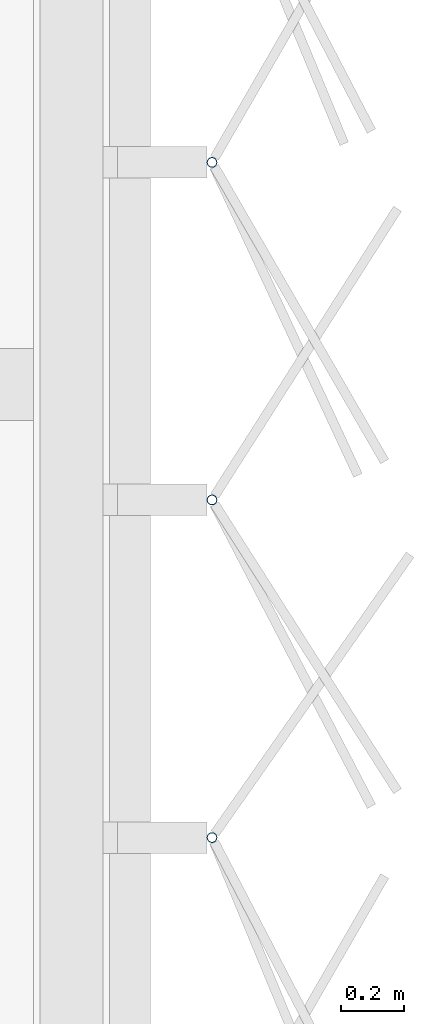
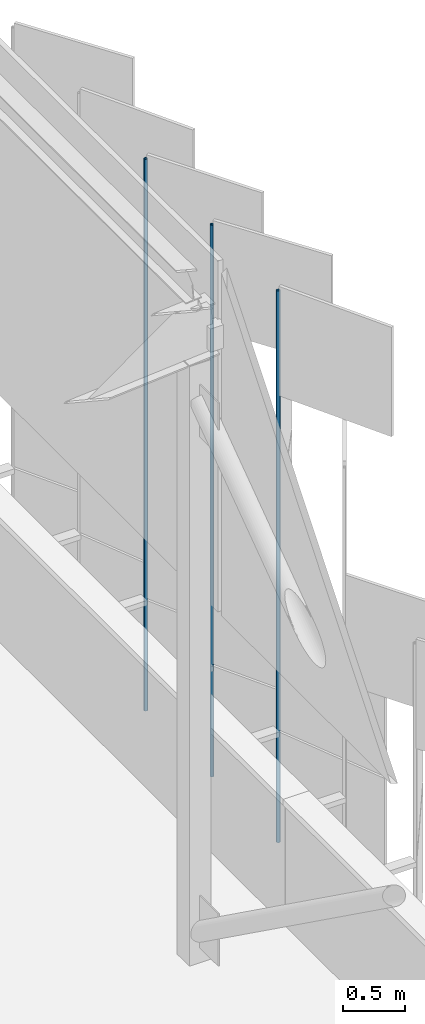
# One storey, part 180 of 483: 3 discrete accessories.
"""IFC4 building model written with IfcOpenShell, lengths in metres."""

from ifc_helpers import new_model, si_unit, direction, frame, origin, origin_2d, place, context, subcontext, project, spatial, hollow_circle, extrude, material, material_profile, profile_set, type_object, element, save


model = new_model("IFC4")

# Units and contexts
model_context = context("Model", 3, precision=1e-05, world=origin(), true_north=direction((0.0, 1.0)))
body_context = subcontext(model_context, "Body", "Model", "MODEL_VIEW")
ifc_project = project(units=[si_unit("LENGTHUNIT", "METRE"), si_unit("AREAUNIT", "SQUARE_METRE"), si_unit("VOLUMEUNIT", "CUBIC_METRE"), si_unit("PLANEANGLEUNIT", "RADIAN"), si_unit("MASSUNIT", "GRAM", prefix="KILO")], contexts=[model_context])

# Site, building, storey
site_placement = place(None, origin())
site = spatial("IfcSite", under=ifc_project, at=site_placement, CompositionType="ELEMENT")
building_placement = place(site_placement, origin())
building = spatial("IfcBuilding", under=site, at=building_placement, Name="Parallax Yard Mobility Hub", CompositionType="ELEMENT")
storey_placement = place(building_placement, frame((0.0, 0.0, 13.199951171875)))
storey = spatial("IfcBuildingStorey", under=building, at=storey_placement, Name="L04", CompositionType="ELEMENT", Elevation=13.199951171875)

# Discrete accessories
ifc_material = material(Name="Steel ASTM A500 Gr C, hot-dip galvanised", Category="steel")
ifc_material_profile = material_profile(ifc_material, hollow_circle(Radius=0.016845703125, WallThickness=0.003173828125, at=origin_2d()), Name="CHS 33.7x3.2")
ifc_profile_set = profile_set([ifc_material_profile], Name="Steel ASTM A500 Gr C, hot-dip galvanised")
discrete_accessory_type = type_object("IfcDiscreteAccessoryType", Name="Hinge post CHS 33.7x3.2", PredefinedType="BRACKET", material=ifc_profile_set)
for number, where, z_axis, x_axis, name in (
    (1, (225.300048828125, 46.0615234375, 0.0), (0.0, 0.0, 1.0), (1.0, 0.0, 0.0), "Hinge post bay 35.2 level L04"),
    (2, (225.300048828125, 47.13330078125, 0.0), (0.0, 0.0, 1.0), (1.0, 0.0, 0.0), "Hinge post bay 35.3 level L04"),
    (3, (225.300048828125, 48.204833984375, 0.0), (0.0, 0.0, 1.0), (1.0, 0.0, 0.0), "Hinge post bay 35.4 level L04"),
):
    element("IfcDiscreteAccessory", number, at=place(storey_placement, frame(where, z_axis=z_axis, x_axis=x_axis)), inside=storey, type_object=discrete_accessory_type, Name=name, PredefinedType="BRACKET", context=body_context, shape_type="SweptSolid", body=[
        extrude(hollow_circle(Radius=0.016845703125, WallThickness=0.003173828125, at=origin_2d()), origin(), (0.0, 0.0, 1.0), 5.449951171875),
    ])

save(model, "model.ifc")
